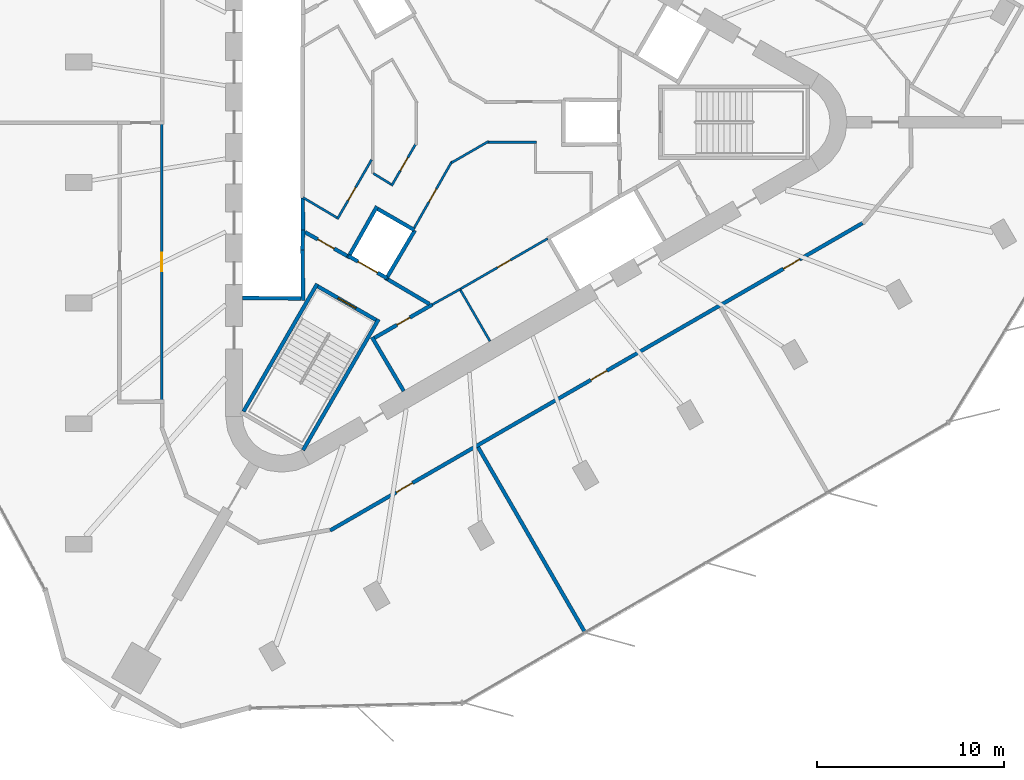
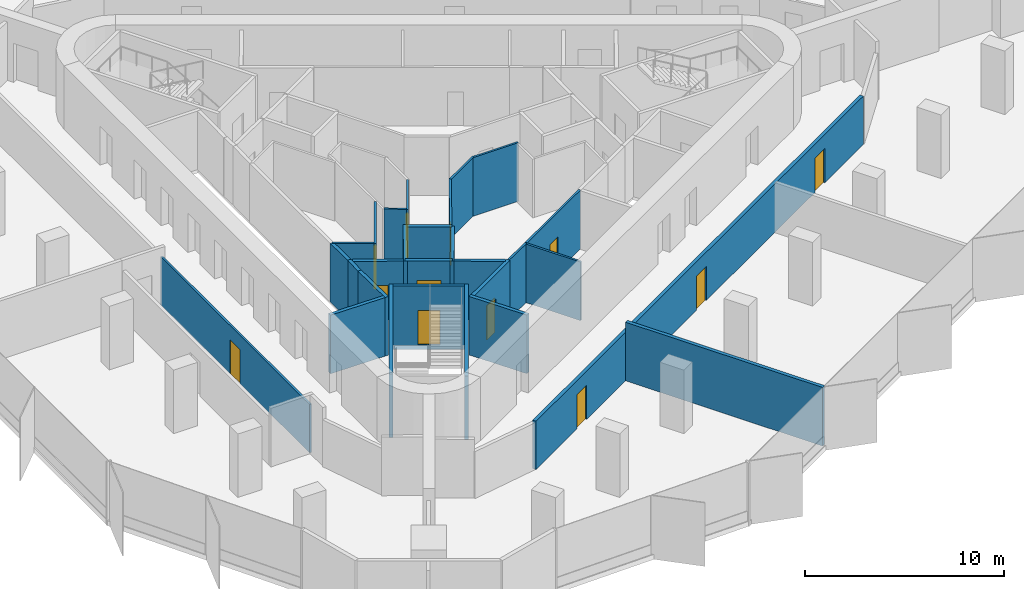
# One storey, part 7 of 12: 28 walls, 12 doors, 12 openings.
"""IFC4 building model written with IfcOpenShell, lengths in metres."""

from ifc_helpers import new_model, si_unit, direction, frame, frame_2d, origin, place, context, subcontext, project, spatial, rectangle, extrude, material, layer, layer_set, type_object, element, fill, save


model = new_model("IFC4")

# Units and contexts
model_context = context("Model", 3, precision=1e-05, world=origin(), true_north=direction((0.0, 1.0)))
body_context = subcontext(model_context, "Body", "Model", "MODEL_VIEW")
ifc_project = project(units=[si_unit("LENGTHUNIT", "METRE"), si_unit("AREAUNIT", "SQUARE_METRE"), si_unit("VOLUMEUNIT", "CUBIC_METRE"), si_unit("PLANEANGLEUNIT", "RADIAN"), si_unit("MASSUNIT", "GRAM", prefix="KILO")], contexts=[model_context])

# Site, building, storey
site_placement = place(None, origin())
site = spatial("IfcSite", under=ifc_project, at=site_placement, CompositionType="ELEMENT")
building_placement = place(site_placement, origin())
building = spatial("IfcBuilding", under=site, at=building_placement, Name="Tanit Gate Tower", CompositionType="ELEMENT")
storey_placement = place(building_placement, frame((0.0, 0.0, 337.699951171875)))
storey = spatial("IfcBuildingStorey", under=building, at=storey_placement, Name="L76", CompositionType="ELEMENT", Elevation=337.699951171875)

# Wall
ifc_material_1 = material(Name="Fire-rated gypsum board partition")
ifc_layer_1 = layer(ifc_material_1, 0.199951171875)
ifc_layer_set_1 = layer_set([ifc_layer_1], Name="INT-WALL-COMPARTMENT")
wall_type_1 = type_object("IfcWallType", Name="INT-WALL-COMPARTMENT", PredefinedType="PARTITIONING", material=ifc_layer_set_1)
wall_1_placement = place(storey_placement, frame((-4.259765625, -11.523681640625, 0.0), z_axis=(0.0, 0.0, 1.0), x_axis=(0.507997497166, -0.861358544901, 0.0)))
element("IfcWall", 1, at=wall_1_placement, inside=storey, type_object=wall_type_1, Name="Wall Compartment W053", PredefinedType="PARTITIONING", context=body_context, shape_type="SweptSolid", body=[
    extrude(rectangle(XDim=3.350341796875, YDim=0.199951171875, at=frame_2d((1.67529296875, 0.0))), origin(), (0.0, 0.0, 1.0), 3.60009765625),
])

# Wall, opening, door
wall_2_placement = place(storey_placement, frame((-1.02392578125, -9.77099609375, 0.0), z_axis=(0.0, 0.0, 1.0), x_axis=(-0.866029903013, -0.499992207027, 0.0)))
wall_2 = element("IfcWall", 2, at=wall_2_placement, inside=storey, type_object=wall_type_1, Name="Wall Compartment W054", PredefinedType="PARTITIONING", context=body_context, shape_type="SweptSolid", body=[
    extrude(rectangle(XDim=3.57763671875, YDim=0.199951171875, at=frame_2d((1.788818359375, 0.0))), origin(), (0.0, 0.0, 1.0), 3.60009765625),
])
opening_1_placement = place(wall_2_placement, frame((1.388916015625, 0.0, 0.0)))
opening_1 = element("IfcOpeningElement", 3, at=opening_1_placement, cuts=wall_2, Name="Opening R08-S21-17", PredefinedType="OPENING", context=body_context, shape_type="SweptSolid", body=[
    extrude(rectangle(XDim=0.800048828125, YDim=2.10009765625, at=frame_2d((0.39990234375, 1.050048828125))), frame((0.0, 0.10986328125, 0.0), z_axis=(0.0, -1.0, 0.0), x_axis=(1.0, 0.0, 0.0)), (0.0, 0.0, 1.0), 0.219970703125),
])
ifc_material_2 = material(Name="Timber door leaf", Category="wood")
door_type_1 = type_object("IfcDoorType", Name="INT-DOOR-RISER-800", OperationType="NOTDEFINED", PredefinedType="USERDEFINED", material=ifc_material_2)
door_1_placement = place(opening_1_placement, origin())
door_1 = element("IfcDoor", 4, at=door_1_placement, inside=storey, type_object=door_type_1, Name="Door R08-S21-17", ObjectType="FIRE DOOR", OperationType="SINGLE_SWING_RIGHT", OverallHeight=2.10009765625, OverallWidth=0.800048828125, PredefinedType="USERDEFINED", context=body_context, shape_type="SweptSolid", body=[
    extrude(rectangle(XDim=0.800048828125, YDim=2.10009765625, at=frame_2d((0.39990234375, 1.050048828125))), frame((0.0, 0.02490234375, 0.0), z_axis=(0.0, -1.0, 0.0), x_axis=(1.0, 0.0, 0.0)), (0.0, 0.0, 1.0), 0.050048828125),
])
fill(opening_1, door_1)

# Wall
wall_3_placement = place(storey_placement, frame((-3.400634765625, -8.43017578125, 0.0), z_axis=(0.0, 0.0, 1.0), x_axis=(0.860630814782, -0.509229418482, 0.0)))
element("IfcWall", 5, at=wall_3_placement, inside=storey, type_object=wall_type_1, Name="Wall Compartment W063", PredefinedType="PARTITIONING", context=body_context, shape_type="SweptSolid", body=[
    extrude(rectangle(XDim=2.581787109375, YDim=0.199951171875, at=frame_2d((1.291015625, 0.0))), origin(), (0.0, 0.0, 1.0), 3.60009765625),
])

# Wall, opening, door
wall_4_placement = place(storey_placement, frame((-7.849365234375, -5.893798828125, 0.0), z_axis=(0.0, 0.0, 1.0), x_axis=(0.871363259478, -0.490638431059, 0.0)))
wall_4 = element("IfcWall", 6, at=wall_4_placement, inside=storey, type_object=wall_type_1, Name="Wall Compartment W064", PredefinedType="PARTITIONING", context=body_context, shape_type="SweptSolid", body=[
    extrude(rectangle(XDim=2.5810546875, YDim=0.199951171875, at=frame_2d((1.29052734375, 0.0))), origin(), (0.0, 0.0, 1.0), 3.60009765625),
])
opening_2_placement = place(wall_4_placement, frame((0.79052734375, 0.0, 0.0)))
opening_2 = element("IfcOpeningElement", 7, at=opening_2_placement, cuts=wall_4, Name="Opening F10-S21-08", PredefinedType="OPENING", context=body_context, shape_type="SweptSolid", body=[
    extrude(rectangle(XDim=1.0, YDim=2.10009765625, at=frame_2d((0.5, 1.050048828125))), frame((0.0, 0.10986328125, 0.0), z_axis=(0.0, -1.0, 0.0), x_axis=(1.0, 0.0, 0.0)), (0.0, 0.0, 1.0), 0.219970703125),
])
ifc_material_3 = material(Name="Fire-rated steel door leaf", Category="steel")
door_type_2 = type_object("IfcDoorType", Name="INT-DOOR-FIRE-1000", OperationType="NOTDEFINED", PredefinedType="USERDEFINED", material=ifc_material_3)
door_2_placement = place(opening_2_placement, origin())
door_2 = element("IfcDoor", 8, at=door_2_placement, inside=storey, type_object=door_type_2, Name="Door F10-S21-08", ObjectType="FIRE DOOR", OperationType="SINGLE_SWING_LEFT", OverallHeight=2.10009765625, OverallWidth=1.0, PredefinedType="USERDEFINED", context=body_context, shape_type="SweptSolid", body=[
    extrude(rectangle(XDim=1.0, YDim=2.10009765625, at=frame_2d((0.5, 1.050048828125))), frame((0.0, 0.02490234375, 0.0), z_axis=(0.0, -1.0, 0.0), x_axis=(1.0, 0.0, 0.0)), (0.0, 0.0, 1.0), 0.050048828125),
])
fill(opening_2, door_2)

# Wall, openings, doors
wall_5_placement = place(storey_placement, frame((-6.505126953125, -21.884521484375, 0.0), z_axis=(0.0, 0.0, 1.0), x_axis=(0.86602457258, 0.500001439686, 0.0)))
wall_5 = element("IfcWall", 9, at=wall_5_placement, inside=storey, type_object=wall_type_1, Name="Wall Compartment W106", PredefinedType="PARTITIONING", context=body_context, shape_type="SweptSolid", body=[
    extrude(rectangle(XDim=32.95166015625, YDim=0.199951171875, at=frame_2d((16.475830078125, 0.0))), origin(), (0.0, 0.0, 1.0), 2.969970703125),
])
opening_3_placement = place(wall_5_placement, frame((28.06103515625, 0.0, 0.0)))
opening_3 = element("IfcOpeningElement", 10, at=opening_3_placement, cuts=wall_5, Name="Opening F10-S21-30", PredefinedType="OPENING", context=body_context, shape_type="SweptSolid", body=[
    extrude(rectangle(XDim=1.0, YDim=2.10009765625, at=frame_2d((0.5, 1.050048828125))), frame((0.0, 0.10986328125, 0.0), z_axis=(0.0, -1.0, 0.0), x_axis=(1.0, 0.0, 0.0)), (0.0, 0.0, 1.0), 0.219970703125),
])
opening_4_placement = place(wall_5_placement, frame((16.13671875, 0.0, 0.0)))
opening_4 = element("IfcOpeningElement", 11, at=opening_4_placement, cuts=wall_5, Name="Opening F10-S21-31", PredefinedType="OPENING", context=body_context, shape_type="SweptSolid", body=[
    extrude(rectangle(XDim=1.0, YDim=2.10009765625, at=frame_2d((0.5, 1.050048828125))), frame((0.0, 0.10986328125, 0.0), z_axis=(0.0, -1.0, 0.0), x_axis=(1.0, 0.0, 0.0)), (0.0, 0.0, 1.0), 0.219970703125),
])
opening_5_placement = place(wall_5_placement, frame((4.101318359375, 0.0, 0.0)))
opening_5 = element("IfcOpeningElement", 12, at=opening_5_placement, cuts=wall_5, Name="Opening F10-S21-32", PredefinedType="OPENING", context=body_context, shape_type="SweptSolid", body=[
    extrude(rectangle(XDim=1.0, YDim=2.10009765625, at=frame_2d((0.5, 1.050048828125))), frame((0.0, 0.10986328125, 0.0), z_axis=(0.0, -1.0, 0.0), x_axis=(1.0, 0.0, 0.0)), (0.0, 0.0, 1.0), 0.219970703125),
])
door_3_placement = place(opening_3_placement, origin())
door_3 = element("IfcDoor", 13, at=door_3_placement, inside=storey, type_object=door_type_2, Name="Door F10-S21-30", ObjectType="FIRE DOOR", OperationType="SINGLE_SWING_RIGHT", OverallHeight=2.10009765625, OverallWidth=1.0, PredefinedType="USERDEFINED", context=body_context, shape_type="SweptSolid", body=[
    extrude(rectangle(XDim=1.0, YDim=2.10009765625, at=frame_2d((0.5, 1.050048828125))), frame((0.0, 0.02490234375, 0.0), z_axis=(0.0, -1.0, 0.0), x_axis=(1.0, 0.0, 0.0)), (0.0, 0.0, 1.0), 0.050048828125),
])
fill(opening_3, door_3)
door_4_placement = place(opening_4_placement, origin())
door_4 = element("IfcDoor", 14, at=door_4_placement, inside=storey, type_object=door_type_2, Name="Door F10-S21-31", ObjectType="FIRE DOOR", OperationType="SINGLE_SWING_LEFT", OverallHeight=2.10009765625, OverallWidth=1.0, PredefinedType="USERDEFINED", context=body_context, shape_type="SweptSolid", body=[
    extrude(rectangle(XDim=1.0, YDim=2.10009765625, at=frame_2d((0.5, 1.050048828125))), frame((0.0, 0.02490234375, 0.0), z_axis=(0.0, -1.0, 0.0), x_axis=(1.0, 0.0, 0.0)), (0.0, 0.0, 1.0), 0.050048828125),
])
fill(opening_4, door_4)
door_5_placement = place(opening_5_placement, origin())
door_5 = element("IfcDoor", 15, at=door_5_placement, inside=storey, type_object=door_type_2, Name="Door F10-S21-32", ObjectType="FIRE DOOR", OperationType="SINGLE_SWING_LEFT", OverallHeight=2.10009765625, OverallWidth=1.0, PredefinedType="USERDEFINED", context=body_context, shape_type="SweptSolid", body=[
    extrude(rectangle(XDim=1.0, YDim=2.10009765625, at=frame_2d((0.5, 1.050048828125))), frame((0.0, 0.02490234375, 0.0), z_axis=(0.0, -1.0, 0.0), x_axis=(1.0, 0.0, 0.0)), (0.0, 0.0, 1.0), 0.050048828125),
])
fill(opening_5, door_5)

# Walls
wall_6_placement = place(storey_placement, frame((7.156005859375, -27.342529296875, 0.0), z_axis=(0.0, 0.0, 1.0), x_axis=(-0.499948106888, 0.866055362214, 0.0)))
element("IfcWall", 16, at=wall_6_placement, inside=storey, type_object=wall_type_1, Name="Wall Compartment W125", PredefinedType="PARTITIONING", context=body_context, shape_type="SweptSolid", body=[
    extrude(rectangle(XDim=11.457275390625, YDim=0.199951171875, at=frame_2d((5.728515625, 0.0))), origin(), (0.0, 0.0, 1.0), 3.60009765625),
])
ifc_material_4 = material(Name="Gypsum board partition")
ifc_layer_2 = layer(ifc_material_4, 0.1201171875)
ifc_layer_set_2 = layer_set([ifc_layer_2], Name="INT-WALL-PARTITION")
wall_type_2 = type_object("IfcWallType", Name="INT-WALL-PARTITION", PredefinedType="PARTITIONING", material=ifc_layer_set_2)
wall_7_placement = place(storey_placement, frame((2.066650390625, -11.739501953125, 0.0), z_axis=(0.0, 0.0, 1.0), x_axis=(-0.499984717929, 0.866034226713, 0.0)))
element("IfcWall", 17, at=wall_7_placement, inside=storey, type_object=wall_type_2, Name="Wall Partition W052", PredefinedType="PARTITIONING", context=body_context, shape_type="SweptSolid", body=[
    extrude(rectangle(XDim=3.25, YDim=0.1201171875, at=frame_2d((1.625, 0.0))), origin(), (0.0, 0.0, 1.0), 3.60009765625),
])
wall_8_placement = place(storey_placement, frame((-1.0234375, -9.77197265625, 0.0), z_axis=(0.0, 0.0, 1.0), x_axis=(0.874290944206, 0.485402250592, 0.0)))
element("IfcWall", 18, at=wall_8_placement, inside=storey, type_object=wall_type_2, Name="Wall Partition W055", PredefinedType="PARTITIONING", context=body_context, shape_type="SweptSolid", body=[
    extrude(rectangle(XDim=1.72265625, YDim=0.1201171875, at=frame_2d((0.861328125, 0.0))), origin(), (0.0, 0.0, 1.0), 3.60009765625),
])

# Wall, opening, door
wall_9_placement = place(storey_placement, frame((0.482666015625, -8.935791015625, 0.0), z_axis=(0.0, 0.0, 1.0), x_axis=(0.866028230842, 0.499995103361, 0.0)))
wall_9 = element("IfcWall", 19, at=wall_9_placement, inside=storey, type_object=wall_type_2, Name="Wall Partition W056", PredefinedType="PARTITIONING", context=body_context, shape_type="SweptSolid", body=[
    extrude(rectangle(XDim=5.39990234375, YDim=0.1201171875, at=frame_2d((2.699951171875, 0.0))), origin(), (0.0, 0.0, 1.0), 3.60009765625),
])
opening_6_placement = place(wall_9_placement, frame((2.300048828125, 0.0, 0.0)))
opening_6 = element("IfcOpeningElement", 20, at=opening_6_placement, cuts=wall_9, Name="Opening R08-S21-18", PredefinedType="OPENING", context=body_context, shape_type="SweptSolid", body=[
    extrude(rectangle(XDim=0.800048828125, YDim=2.10009765625, at=frame_2d((0.39990234375, 1.050048828125))), frame((0.0, 0.070068359375, 0.0), z_axis=(0.0, -1.0, 0.0), x_axis=(1.0, 0.0, 0.0)), (0.0, 0.0, 1.0), 0.14013671875),
])
door_6_placement = place(opening_6_placement, origin())
door_6 = element("IfcDoor", 21, at=door_6_placement, inside=storey, type_object=door_type_1, Name="Door R08-S21-18", ObjectType="FIRE DOOR", OperationType="SINGLE_SWING_RIGHT", OverallHeight=2.10009765625, OverallWidth=0.800048828125, PredefinedType="USERDEFINED", context=body_context, shape_type="SweptSolid", body=[
    extrude(rectangle(XDim=0.800048828125, YDim=2.10009765625, at=frame_2d((0.39990234375, 1.050048828125))), frame((0.0, 0.02490234375, 0.0), z_axis=(0.0, -1.0, 0.0), x_axis=(1.0, 0.0, 0.0)), (0.0, 0.0, 1.0), 0.050048828125),
])
fill(opening_6, door_6)

wall_10_placement = place(storey_placement, frame((0.02880859375, -2.0986328125, 0.0), z_axis=(0.0, 0.0, 1.0), x_axis=(-0.49376265119, -0.869596713592, 0.0)))
wall_10 = element("IfcWall", 22, at=wall_10_placement, inside=storey, type_object=wall_type_2, Name="Wall Partition W068", PredefinedType="PARTITIONING", context=body_context, shape_type="SweptSolid", body=[
    extrude(rectangle(XDim=4.096923828125, YDim=0.1201171875, at=frame_2d((2.04833984375, 0.0))), origin(), (0.0, 0.0, 1.0), 3.60009765625),
])
opening_7_placement = place(wall_10_placement, frame((1.69970703125, 0.0, 0.0)))
opening_7 = element("IfcOpeningElement", 23, at=opening_7_placement, cuts=wall_10, Name="Opening R08-S21-11", PredefinedType="OPENING", context=body_context, shape_type="SweptSolid", body=[
    extrude(rectangle(XDim=0.800048828125, YDim=2.10009765625, at=frame_2d((0.39990234375, 1.050048828125))), frame((0.0, 0.070068359375, 0.0), z_axis=(0.0, -1.0, 0.0), x_axis=(1.0, 0.0, 0.0)), (0.0, 0.0, 1.0), 0.14013671875),
])
door_7_placement = place(opening_7_placement, origin())
door_7 = element("IfcDoor", 24, at=door_7_placement, inside=storey, type_object=door_type_1, Name="Door R08-S21-11", ObjectType="FIRE DOOR", OperationType="SINGLE_SWING_RIGHT", OverallHeight=2.10009765625, OverallWidth=0.800048828125, PredefinedType="USERDEFINED", context=body_context, shape_type="SweptSolid", body=[
    extrude(rectangle(XDim=0.800048828125, YDim=2.10009765625, at=frame_2d((0.39990234375, 1.050048828125))), frame((0.0, 0.02490234375, 0.0), z_axis=(0.0, -1.0, 0.0), x_axis=(1.0, 0.0, 0.0)), (0.0, 0.0, 1.0), 0.050048828125),
])
fill(opening_7, door_7)

# Walls
wall_11_placement = place(storey_placement, frame((1.995361328125, -1.02294921875, 0.0), z_axis=(0.0, 0.0, 1.0), x_axis=(-0.866043041921, -0.499969448606, 0.0)))
element("IfcWall", 25, at=wall_11_placement, inside=storey, type_object=wall_type_2, Name="Wall Partition W069", PredefinedType="PARTITIONING", context=body_context, shape_type="SweptSolid", body=[
    extrude(rectangle(XDim=2.310302734375, YDim=0.1201171875, at=frame_2d((1.1552734375, 0.0))), origin(), (0.0, 0.0, 1.0), 3.60009765625),
])
wall_12_placement = place(storey_placement, frame((4.56005859375, -1.074951171875, 0.0), z_axis=(0.0, 0.0, 1.0), x_axis=(-1.0, 0.0, 0.0)))
element("IfcWall", 26, at=wall_12_placement, inside=storey, type_object=wall_type_2, Name="Wall Partition W070", PredefinedType="PARTITIONING", context=body_context, shape_type="SweptSolid", body=[
    extrude(rectangle(XDim=2.63623046875, YDim=0.1201171875, at=frame_2d((1.318115234375, 0.0))), origin(), (0.0, 0.0, 1.0), 3.60009765625),
])

# Wall, opening, door
wall_13_placement = place(storey_placement, frame((-6.1181640625, -5.197265625, 0.0), z_axis=(0.0, 0.0, 1.0), x_axis=(0.499979045085, 0.866037501772, 0.0)))
wall_13 = element("IfcWall", 27, at=wall_13_placement, inside=storey, type_object=wall_type_2, Name="Wall Partition W075", PredefinedType="PARTITIONING", context=body_context, shape_type="SweptSolid", body=[
    extrude(rectangle(XDim=3.678955078125, YDim=0.1201171875, at=frame_2d((1.83935546875, 0.0))), origin(), (0.0, 0.0, 1.0), 3.60009765625),
])
opening_8_placement = place(wall_13_placement, frame((1.159912109375, 0.0, 0.0)))
opening_8 = element("IfcOpeningElement", 28, at=opening_8_placement, cuts=wall_13, Name="Opening R08-S21-12", PredefinedType="OPENING", context=body_context, shape_type="SweptSolid", body=[
    extrude(rectangle(XDim=0.800048828125, YDim=2.10009765625, at=frame_2d((0.39990234375, 1.050048828125))), frame((0.0, 0.070068359375, 0.0), z_axis=(0.0, -1.0, 0.0), x_axis=(1.0, 0.0, 0.0)), (0.0, 0.0, 1.0), 0.14013671875),
])
door_8_placement = place(opening_8_placement, origin())
door_8 = element("IfcDoor", 29, at=door_8_placement, inside=storey, type_object=door_type_1, Name="Door R08-S21-12", ObjectType="FIRE DOOR", OperationType="SINGLE_SWING_LEFT", OverallHeight=2.10009765625, OverallWidth=0.800048828125, PredefinedType="USERDEFINED", context=body_context, shape_type="SweptSolid", body=[
    extrude(rectangle(XDim=0.800048828125, YDim=2.10009765625, at=frame_2d((0.39990234375, 1.050048828125))), frame((0.0, 0.02490234375, 0.0), z_axis=(0.0, -1.0, 0.0), x_axis=(1.0, 0.0, 0.0)), (0.0, 0.0, 1.0), 0.050048828125),
])
fill(opening_8, door_8)

# Wall
wall_14_placement = place(storey_placement, frame((-7.949951171875, -4.041015625, 0.0), z_axis=(0.0, 0.0, 1.0), x_axis=(0.860112457103, -0.510104461004, 0.0)))
element("IfcWall", 30, at=wall_14_placement, inside=storey, type_object=wall_type_2, Name="Wall Partition W076", PredefinedType="PARTITIONING", context=body_context, shape_type="SweptSolid", body=[
    extrude(rectangle(XDim=2.1044921875, YDim=0.1201171875, at=frame_2d((1.05224609375, 0.0))), origin(), (0.0, 0.0, 1.0), 3.60009765625),
])

# Wall, opening, door
wall_15_placement = place(storey_placement, frame((-3.2109375, -3.41162109375, 0.0), z_axis=(0.0, 0.0, 1.0), x_axis=(0.500013727357, 0.866017478146, 0.0)))
wall_15 = element("IfcWall", 31, at=wall_15_placement, inside=storey, type_object=wall_type_2, Name="Wall Partition W082", PredefinedType="PARTITIONING", context=body_context, shape_type="SweptSolid", body=[
    extrude(rectangle(XDim=2.63623046875, YDim=0.1201171875, at=frame_2d((1.318115234375, 0.0))), origin(), (0.0, 0.0, 1.0), 3.60009765625),
])
opening_9_placement = place(wall_15_placement, frame((0.947998046875, 0.0, 0.0)))
opening_9 = element("IfcOpeningElement", 32, at=opening_9_placement, cuts=wall_15, Name="Opening R08-S21-13", PredefinedType="OPENING", context=body_context, shape_type="SweptSolid", body=[
    extrude(rectangle(XDim=0.800048828125, YDim=2.10009765625, at=frame_2d((0.39990234375, 1.050048828125))), frame((0.0, 0.070068359375, 0.0), z_axis=(0.0, -1.0, 0.0), x_axis=(1.0, 0.0, 0.0)), (0.0, 0.0, 1.0), 0.14013671875),
])
door_9_placement = place(opening_9_placement, origin())
door_9 = element("IfcDoor", 33, at=door_9_placement, inside=storey, type_object=door_type_1, Name="Door R08-S21-13", ObjectType="FIRE DOOR", OperationType="SINGLE_SWING_RIGHT", OverallHeight=2.10009765625, OverallWidth=0.800048828125, PredefinedType="USERDEFINED", context=body_context, shape_type="SweptSolid", body=[
    extrude(rectangle(XDim=0.800048828125, YDim=2.10009765625, at=frame_2d((0.39990234375, 1.050048828125))), frame((0.0, 0.02490234375, 0.0), z_axis=(0.0, -1.0, 0.0), x_axis=(1.0, 0.0, 0.0)), (0.0, 0.0, 1.0), 0.050048828125),
])
fill(opening_9, door_9)

# Wall
wall_16_placement = place(storey_placement, frame((-4.188720703125, -2.74365234375, 0.0), z_axis=(0.0, 0.0, 1.0), x_axis=(0.853217230587, -0.521555708845, 0.0)))
element("IfcWall", 34, at=wall_16_placement, inside=storey, type_object=wall_type_2, Name="Wall Partition W083", PredefinedType="PARTITIONING", context=body_context, shape_type="SweptSolid", body=[
    extrude(rectangle(XDim=1.12109375, YDim=0.1201171875, at=frame_2d((0.560546875, 0.0))), origin(), (0.0, 0.0, 1.0), 3.60009765625),
])

# Wall, opening, door
wall_17_placement = place(storey_placement, frame((-15.530029296875, 0.0, 0.0), z_axis=(0.0, 0.0, 1.0), x_axis=(0.0, -1.0, 0.0)))
wall_17 = element("IfcWall", 35, at=wall_17_placement, inside=storey, type_object=wall_type_2, Name="Wall Partition W084", PredefinedType="PARTITIONING", context=body_context, shape_type="SweptSolid", body=[
    extrude(rectangle(XDim=15.0, YDim=0.1201171875, at=frame_2d((7.5, 0.0))), origin(), (0.0, 0.0, 1.0), 2.969970703125),
])
opening_10_placement = place(wall_17_placement, frame((7.0, 0.0, 0.0)))
opening_10 = element("IfcOpeningElement", 36, at=opening_10_placement, cuts=wall_17, Name="Opening D10-S21-21", PredefinedType="OPENING", context=body_context, shape_type="SweptSolid", body=[
    extrude(rectangle(XDim=1.0, YDim=2.10009765625, at=frame_2d((0.5, 1.050048828125))), frame((0.0, 0.070068359375, 0.0), z_axis=(0.0, -1.0, 0.0), x_axis=(1.0, 0.0, 0.0)), (0.0, 0.0, 1.0), 0.14013671875),
])
ifc_material_5 = material(Name="Timber door leaf", Category="wood")
door_type_3 = type_object("IfcDoorType", Name="INT-DOOR-SINGLE-1000", OperationType="NOTDEFINED", PredefinedType="NOTDEFINED", material=ifc_material_5)
door_10_placement = place(opening_10_placement, origin())
door_10 = element("IfcDoor", 37, at=door_10_placement, inside=storey, type_object=door_type_3, Name="Door D10-S21-21", OperationType="SINGLE_SWING_LEFT", OverallHeight=2.10009765625, OverallWidth=1.0, PredefinedType="NOTDEFINED", context=body_context, shape_type="SweptSolid", body=[
    extrude(rectangle(XDim=1.0, YDim=2.10009765625, at=frame_2d((0.5, 1.050048828125))), frame((0.0, 0.02490234375, 0.0), z_axis=(0.0, -1.0, 0.0), x_axis=(1.0, 0.0, 0.0)), (0.0, 0.0, 1.0), 0.050048828125),
])
fill(opening_10, door_10)

# Walls
ifc_material_6 = material(Name="Gypsum shaft wall system")
ifc_layer_3 = layer(ifc_material_6, 0.199951171875)
ifc_layer_set_3 = layer_set([ifc_layer_3], Name="INT-WALL-SHAFT")
wall_type_3 = type_object("IfcWallType", Name="INT-WALL-SHAFT", PredefinedType="PLUMBINGWALL", material=ifc_layer_set_3)
wall_18_placement = place(storey_placement, frame((-7.949951171875, -5.7724609375, 0.0), z_axis=(0.0, 0.0, 1.0), x_axis=(-0.030803413295, -0.999525462272, 0.0)))
element("IfcWall", 38, at=wall_18_placement, inside=storey, type_object=wall_type_3, Name="Wall Shaft W008", PredefinedType="PLUMBINGWALL", context=body_context, shape_type="SweptSolid", body=[
    extrude(rectangle(XDim=1.077880859375, YDim=0.199951171875, at=frame_2d((0.5390625, 0.0))), origin(), (0.0, 0.0, 1.0), 3.60009765625),
])
wall_19_placement = place(storey_placement, frame((-7.971435546875, -4.050048828125, 0.0), z_axis=(0.0, 0.0, 1.0), x_axis=(0.012042535896, -0.999927486035, 0.0)))
element("IfcWall", 39, at=wall_19_placement, inside=storey, type_object=wall_type_3, Name="Wall Shaft W009", PredefinedType="PLUMBINGWALL", context=body_context, shape_type="SweptSolid", body=[
    extrude(rectangle(XDim=1.844970703125, YDim=0.199951171875, at=frame_2d((0.92236328125, 0.0))), origin(), (0.0, 0.0, 1.0), 3.60009765625),
])
wall_20_placement = place(storey_placement, frame((-7.97900390625, -6.85009765625, 0.0), z_axis=(0.0, 0.0, 1.0), x_axis=(0.011121475088, -0.999938154483, 0.0)))
element("IfcWall", 40, at=wall_20_placement, inside=storey, type_object=wall_type_3, Name="Wall Shaft W010", PredefinedType="PLUMBINGWALL", context=body_context, shape_type="SweptSolid", body=[
    extrude(rectangle(XDim=2.7001953125, YDim=0.199951171875, at=frame_2d((1.35009765625, 0.0))), origin(), (0.0, 0.0, 1.0), 3.60009765625),
])
wall_21_placement = place(storey_placement, frame((-8.050048828125, -9.448974609375, 0.0), z_axis=(0.0, 0.0, 1.0), x_axis=(-0.999957467379, 0.009222983926, 0.0)))
element("IfcWall", 41, at=wall_21_placement, inside=storey, type_object=wall_type_3, Name="Wall Shaft W011", PredefinedType="PLUMBINGWALL", context=body_context, shape_type="SweptSolid", body=[
    extrude(rectangle(XDim=3.150146484375, YDim=0.199951171875, at=frame_2d((1.5751953125, 0.0))), origin(), (0.0, 0.0, 1.0), 3.60009765625),
])

# Wall, opening, door
wall_22_placement = place(storey_placement, frame((-3.44580078125, -8.3681640625, 0.0), z_axis=(0.0, 0.0, 1.0), x_axis=(-0.866024647952, 0.500001309137, 0.0)))
wall_22 = element("IfcWall", 42, at=wall_22_placement, inside=storey, type_object=wall_type_3, Name="Wall Shaft W040", PredefinedType="PLUMBINGWALL", context=body_context, shape_type="SweptSolid", body=[
    extrude(rectangle(XDim=2.39990234375, YDim=0.199951171875, at=frame_2d((1.199951171875, 0.0))), origin(), (0.0, 0.0, 1.0), 3.60009765625),
])
opening_11_placement = place(wall_22_placement, frame((0.60009765625, 0.0, 0.0)))
opening_11 = element("IfcOpeningElement", 43, at=opening_11_placement, cuts=wall_22, Name="Opening LDFL3-L76", PredefinedType="OPENING", context=body_context, shape_type="SweptSolid", body=[
    extrude(rectangle(XDim=1.199951171875, YDim=2.39990234375, at=frame_2d((0.60009765625, 1.199951171875))), frame((0.0, 0.10986328125, 0.0), z_axis=(0.0, -1.0, 0.0), x_axis=(1.0, 0.0, 0.0)), (0.0, 0.0, 1.0), 0.219970703125),
])
ifc_material_7 = material(Name="Stainless steel sliding door leaf", Category="steel")
door_type_4 = type_object("IfcDoorType", Name="INT-DOOR-LANDING-1200", OperationType="NOTDEFINED", PredefinedType="USERDEFINED", material=ifc_material_7)
door_11_placement = place(opening_11_placement, origin())
door_11 = element("IfcDoor", 44, at=door_11_placement, inside=storey, type_object=door_type_4, Name="Door LDFL3-L76", ObjectType="LANDING DOOR", OperationType="SLIDING_TO_LEFT", OverallHeight=2.39990234375, OverallWidth=1.199951171875, PredefinedType="USERDEFINED", context=body_context, shape_type="SweptSolid", body=[
    extrude(rectangle(XDim=1.199951171875, YDim=2.39990234375, at=frame_2d((0.60009765625, 1.199951171875))), frame((0.0, 0.02490234375, 0.0), z_axis=(0.0, -1.0, 0.0), x_axis=(1.0, 0.0, 0.0)), (0.0, 0.0, 1.0), 0.050048828125),
])
fill(opening_11, door_11)

# Walls
wall_23_placement = place(storey_placement, frame((-1.960693359375, -5.796142578125, 0.0), z_axis=(0.0, 0.0, 1.0), x_axis=(-0.508647062354, -0.860975125052, 0.0)))
element("IfcWall", 45, at=wall_23_placement, inside=storey, type_object=wall_type_3, Name="Wall Shaft W041", PredefinedType="PLUMBINGWALL", context=body_context, shape_type="SweptSolid", body=[
    extrude(rectangle(XDim=3.10009765625, YDim=0.199951171875, at=frame_2d((1.550048828125, 0.0))), origin(), (0.0, 0.0, 1.0), 3.60009765625),
])
wall_24_placement = place(storey_placement, frame((-3.989990234375, -4.509033203125, 0.0), z_axis=(0.0, 0.0, 1.0), x_axis=(-0.491358283181, -0.870957540612, 0.0)))
element("IfcWall", 46, at=wall_24_placement, inside=storey, type_object=wall_type_3, Name="Wall Shaft W042", PredefinedType="PLUMBINGWALL", context=body_context, shape_type="SweptSolid", body=[
    extrude(rectangle(XDim=3.200439453125, YDim=0.199951171875, at=frame_2d((1.60009765625, 0.0))), origin(), (0.0, 0.0, 1.0), 3.60009765625),
])
wall_25_placement = place(storey_placement, frame((-3.95263671875, -4.646240234375, 0.0), z_axis=(0.0, 0.0, 1.0), x_axis=(0.866065302921, -0.4999308863, 0.0)))
element("IfcWall", 47, at=wall_25_placement, inside=storey, type_object=wall_type_3, Name="Wall Shaft W043", PredefinedType="PLUMBINGWALL", context=body_context, shape_type="SweptSolid", body=[
    extrude(rectangle(XDim=2.264404296875, YDim=0.199951171875, at=frame_2d((1.13232421875, 0.0))), origin(), (0.0, 0.0, 1.0), 3.60009765625),
])
ifc_material_8 = material(Name="Concrete C40/50", Category="concrete")
ifc_layer_4 = layer(ifc_material_8, 0.199951171875)
ifc_layer_set_4 = layer_set([ifc_layer_4], Name="INT-WALL-STAIR")
wall_type_4 = type_object("IfcWallType", Name="INT-WALL-STAIR", PredefinedType="SHEAR", material=ifc_layer_set_4)
wall_26_placement = place(storey_placement, frame((-3.904541015625, -10.56298828125, -0.300048828125), z_axis=(0.0, 0.0, 1.0), x_axis=(-0.500012932018, -0.866017937352, 0.0)))
element("IfcWall", 48, at=wall_26_placement, inside=storey, type_object=wall_type_4, Name="Wall Stair W036", PredefinedType="SHEAR", context=body_context, shape_type="SweptSolid", body=[
    extrude(rectangle(XDim=8.099853515625, YDim=0.199951171875, at=frame_2d((4.0498046875, 0.0))), origin(), (0.0, 0.0, 1.0), 3.900146484375),
])
wall_27_placement = place(storey_placement, frame((-7.195556640625, -8.662841796875, -0.300048828125), z_axis=(0.0, 0.0, 1.0), x_axis=(-0.499997992926, -0.866026562566, 0.0)))
element("IfcWall", 49, at=wall_27_placement, inside=storey, type_object=wall_type_4, Name="Wall Stair W038", PredefinedType="SHEAR", context=body_context, shape_type="SweptSolid", body=[
    extrude(rectangle(XDim=7.89990234375, YDim=0.199951171875, at=frame_2d((3.949951171875, 0.0))), origin(), (0.0, 0.0, 1.0), 3.900146484375),
])

# Wall, opening, door
wall_28_placement = place(storey_placement, frame((-4.041259765625, -10.599365234375, -0.300048828125), z_axis=(0.0, 0.0, 1.0), x_axis=(-0.866047807691, 0.499961193289, 0.0)))
wall_28 = element("IfcWall", 50, at=wall_28_placement, inside=storey, type_object=wall_type_4, Name="Wall Stair W039", PredefinedType="SHEAR", context=body_context, shape_type="SweptSolid", body=[
    extrude(rectangle(XDim=3.599853515625, YDim=0.199951171875, at=frame_2d((1.7998046875, 0.0))), origin(), (0.0, 0.0, 1.0), 3.900146484375),
])
opening_12_placement = place(wall_28_placement, frame((1.25, 0.0, 0.300048828125)))
opening_12 = element("IfcOpeningElement", 51, at=opening_12_placement, cuts=wall_28, Name="Opening S11-S21-07", PredefinedType="OPENING", context=body_context, shape_type="SweptSolid", body=[
    extrude(rectangle(XDim=1.10009765625, YDim=2.10009765625, at=frame_2d((0.550048828125, 1.050048828125))), frame((0.0, 0.10986328125, 0.0), z_axis=(0.0, -1.0, 0.0), x_axis=(1.0, 0.0, 0.0)), (0.0, 0.0, 1.0), 0.219970703125),
])
ifc_material_9 = material(Name="Timber door leaf", Category="wood")
door_type_5 = type_object("IfcDoorType", Name="INT-DOOR-STAIR-1100", OperationType="NOTDEFINED", PredefinedType="USERDEFINED", material=ifc_material_9)
door_12_placement = place(opening_12_placement, origin())
door_12 = element("IfcDoor", 52, at=door_12_placement, inside=storey, type_object=door_type_5, Name="Door S11-S21-07", ObjectType="FIRE DOOR", OperationType="SINGLE_SWING_RIGHT", OverallHeight=2.10009765625, OverallWidth=1.10009765625, PredefinedType="USERDEFINED", context=body_context, shape_type="SweptSolid", body=[
    extrude(rectangle(XDim=1.10009765625, YDim=2.10009765625, at=frame_2d((0.550048828125, 1.050048828125))), frame((0.0, 0.02490234375, 0.0), z_axis=(0.0, -1.0, 0.0), x_axis=(1.0, 0.0, 0.0)), (0.0, 0.0, 1.0), 0.050048828125),
])
fill(opening_12, door_12)

save(model, "model.ifc")
